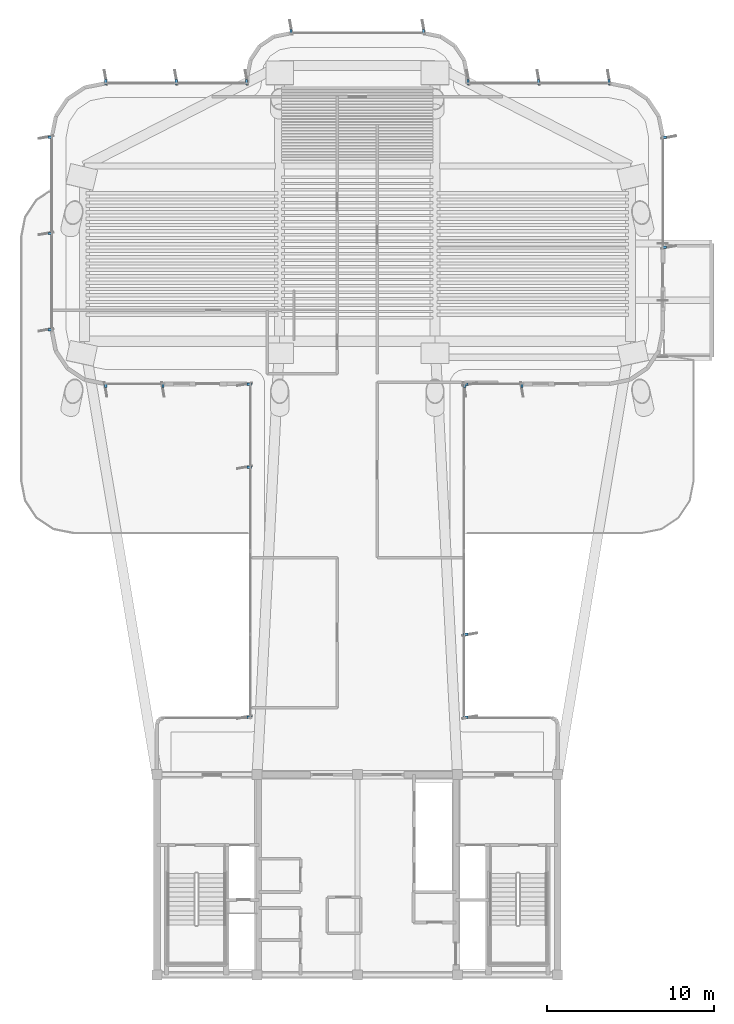
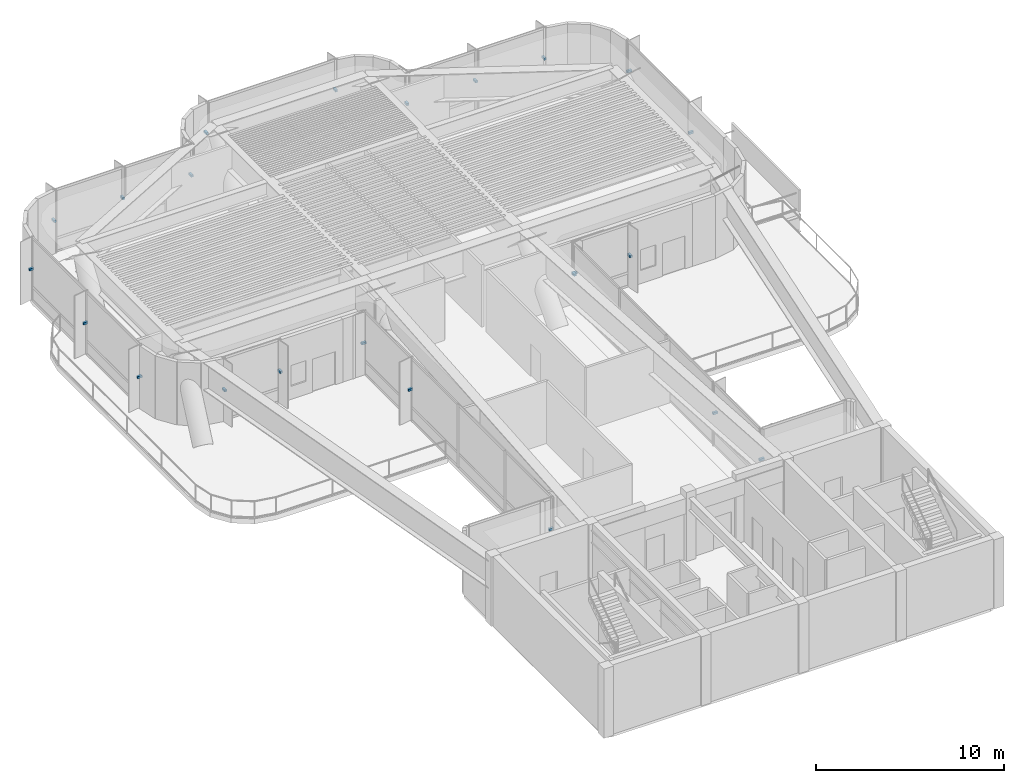
# One storey, part 14 of 16: 23 discrete accessories.
"""IFC4 building model written with IfcOpenShell, lengths in metres."""

from ifc_helpers import new_model, si_unit, direction, frame, origin, origin_2d, place, context, subcontext, project, spatial, rectangle, extrude, source, transform, mapped, material, type_object, element, save


model = new_model("IFC4")

# Units and contexts
model_context = context("Model", 3, precision=1e-05, world=origin(), true_north=direction((0.0, 1.0)))
body_context = subcontext(model_context, "Body", "Model", "MODEL_VIEW")
ifc_project = project(units=[si_unit("LENGTHUNIT", "METRE"), si_unit("AREAUNIT", "SQUARE_METRE"), si_unit("VOLUMEUNIT", "CUBIC_METRE"), si_unit("PLANEANGLEUNIT", "RADIAN"), si_unit("MASSUNIT", "GRAM", prefix="KILO")], contexts=[model_context])

# Site, building, storey
site_placement = place(None, origin())
site = spatial("IfcSite", under=ifc_project, at=site_placement, CompositionType="ELEMENT")
building_placement = place(site_placement, origin())
building = spatial("IfcBuilding", under=site, at=building_placement, Name="Brelvock Crest Care Tower", CompositionType="ELEMENT")
storey_placement = place(building_placement, frame((0.0, 0.0, 218.52001953125)))
storey = spatial("IfcBuildingStorey", under=building, at=storey_placement, Name="L55", CompositionType="ELEMENT", Elevation=218.52001953125)

# Discrete accessories
ifc_material = material(Name="Steel Grade 350", Category="steel")
discrete_accessory_type = type_object("IfcDiscreteAccessoryType", Name="ACC-BRK1", PredefinedType="BRACKET", material=ifc_material)
shared_shape = source(origin(), body_context, "Body", "SweptSolid", [
    extrude(rectangle(XDim=0.280029296875, YDim=0.139892578125, at=origin_2d()), origin(), (0.0, 0.0, 1.0), 0.139892578125),
])
for number, where, z_axis, x_axis, name in (
    (1, (29.52001953125, 21.4326171875, 1.97607421875), (0.0, 0.0, 1.0), (-1.0, 0.0, 0.0), "L55 Facade Fin Bracket E11-01"),
    (2, (29.52001953125, 36.39990234375, 1.97607421875), (0.0, 0.0, 1.0), (-1.0, 0.0, 0.0), "L55 Facade Fin Bracket E11-04"),
    (3, (29.52001953125, 41.367431640625, 1.97607421875), (0.0, 0.0, 1.0), (-1.0, 0.0, 0.0), "L55 Facade Fin Bracket E11-05"),
    (4, (24.361572265625, 41.320068359375, 1.97607421875), (0.0, 0.0, 1.0), (0.0, -1.0, 0.0), "L55 Facade Fin Bracket E12B-01"),
    (5, (20.9326171875, 41.320068359375, 1.97607421875), (0.0, 0.0, 1.0), (0.0, -1.0, 0.0), "L55 Facade Fin Bracket E12B-02"),
    (6, (17.6201171875, 44.632568359375, 1.97607421875), (0.0, 0.0, 1.0), (-1.0, 0.0, 0.0), "L55 Facade Fin Bracket E17-01"),
    (7, (17.6201171875, 50.39990234375, 1.97607421875), (0.0, 0.0, 1.0), (-1.0, 0.0, 0.0), "L55 Facade Fin Bracket E17-02"),
    (8, (17.6201171875, 56.16748046875, 1.97607421875), (0.0, 0.0, 1.0), (-1.0, 0.0, 0.0), "L55 Facade Fin Bracket E17-03"),
    (9, (20.9326171875, 59.47998046875, 1.97607421875), (0.0, 0.0, 1.0), (0.0, 1.0, 0.0), "L55 Facade Fin Bracket E22-01"),
    (10, (25.14990234375, 59.47998046875, 1.97607421875), (0.0, 0.0, 1.0), (0.0, 1.0, 0.0), "L55 Facade Fin Bracket E22-02"),
    (11, (29.367431640625, 59.47998046875, 1.97607421875), (0.0, 0.0, 1.0), (0.0, 1.0, 0.0), "L55 Facade Fin Bracket E22-03"),
    (12, (32.032470703125, 62.47998046875, 1.97607421875), (0.0, 0.0, 1.0), (0.0, 1.0, 0.0), "L55 Facade Fin Bracket E28-01"),
    (13, (39.967529296875, 62.47998046875, 1.97607421875), (0.0, 0.0, 1.0), (0.0, 1.0, 0.0), "L55 Facade Fin Bracket E28-02"),
    (14, (42.632568359375, 59.47998046875, 1.97607421875), (0.0, 0.0, 1.0), (0.0, 1.0, 0.0), "L55 Facade Fin Bracket E34-01"),
    (15, (46.85009765625, 59.47998046875, 1.97607421875), (0.0, 0.0, 1.0), (0.0, 1.0, 0.0), "L55 Facade Fin Bracket E34-02"),
    (16, (51.0673828125, 59.47998046875, 1.97607421875), (0.0, 0.0, 1.0), (0.0, 1.0, 0.0), "L55 Facade Fin Bracket E34-03"),
    (17, (54.3798828125, 56.16748046875, 1.97607421875), (0.0, 0.0, 1.0), (1.0, 0.0, 0.0), "L55 Facade Fin Bracket E39A-01"),
    (18, (54.3798828125, 49.58251953125, 1.97607421875), (0.0, 0.0, 1.0), (1.0, 0.0, 0.0), "L55 Facade Fin Bracket E39A-02"),
    (19, (45.861572265625, 41.320068359375, 1.97607421875), (0.0, 0.0, 1.0), (0.0, -1.0, 0.0), "L55 Facade Fin Bracket E44B-01"),
    (20, (42.4326171875, 41.320068359375, 1.97607421875), (0.0, 0.0, 1.0), (0.0, -1.0, 0.0), "L55 Facade Fin Bracket E44B-02"),
    (21, (42.47998046875, 41.367431640625, 1.97607421875), (0.0, 0.0, 1.0), (1.0, 0.0, 0.0), "L55 Facade Fin Bracket E45-01"),
    (22, (42.47998046875, 26.39990234375, 1.97607421875), (0.0, 0.0, 1.0), (1.0, 0.0, 0.0), "L55 Facade Fin Bracket E45-04"),
    (23, (42.47998046875, 21.4326171875, 1.97607421875), (0.0, 0.0, 1.0), (1.0, 0.0, 0.0), "L55 Facade Fin Bracket E45-05"),
):
    element("IfcDiscreteAccessory", number, at=place(storey_placement, frame(where, z_axis=z_axis, x_axis=x_axis)), inside=storey, type_object=discrete_accessory_type, Name=name, PredefinedType="BRACKET", context=body_context, shape_type="MappedRepresentation", body=[
        mapped(shared_shape, transform((0.0, 0.0, 0.0), x_axis=(1.0, 0.0, 0.0), y_axis=(0.0, 1.0, 0.0), z_axis=(0.0, 0.0, 1.0), scale=1.0)),
    ])

save(model, "model.ifc")
